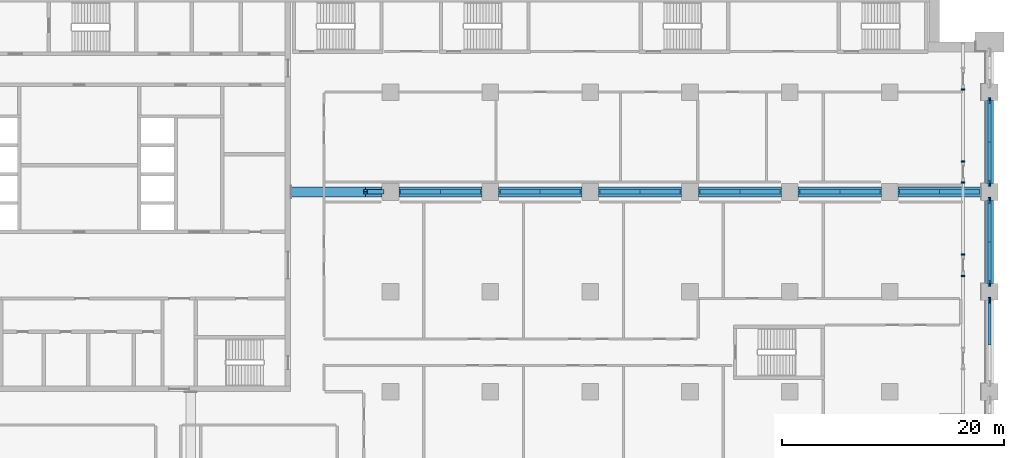
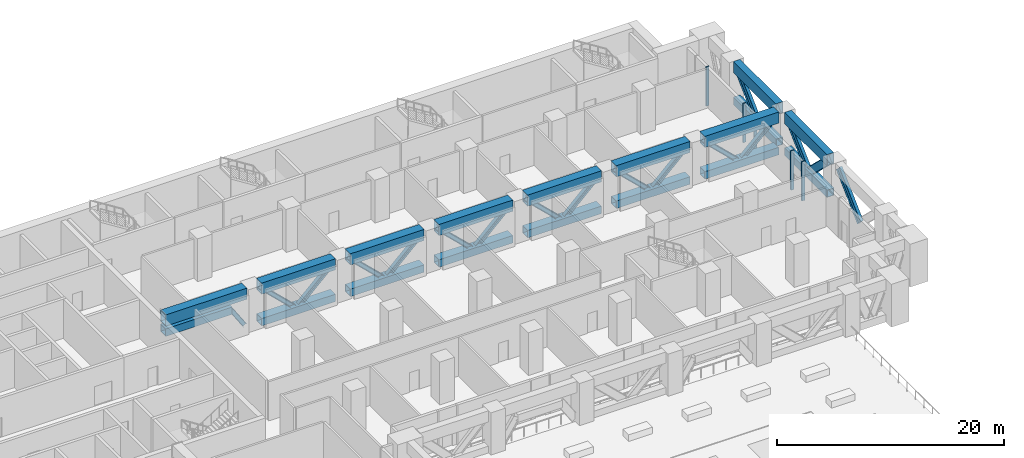
# One storey, part 5 of 31: 41 members.
"""IFC4 building model written with IfcOpenShell, lengths in metres."""

from ifc_helpers import new_model, si_unit, direction, frame, origin, origin_2d, place, context, subcontext, project, spatial, rectangle, hollow_rectangle, i_section, extrude, material, material_profile, profile_set, type_object, element, save


model = new_model("IFC4")

# Units and contexts
model_context = context("Model", 3, precision=1e-05, world=origin(), true_north=direction((0.0, 1.0)))
body_context = subcontext(model_context, "Body", "Model", "MODEL_VIEW")
ifc_project = project(units=[si_unit("LENGTHUNIT", "METRE"), si_unit("AREAUNIT", "SQUARE_METRE"), si_unit("VOLUMEUNIT", "CUBIC_METRE"), si_unit("PLANEANGLEUNIT", "RADIAN"), si_unit("MASSUNIT", "GRAM", prefix="KILO")], contexts=[model_context])

# Site, building, storey
site_placement = place(None, origin())
site = spatial("IfcSite", under=ifc_project, at=site_placement, CompositionType="ELEMENT")
building_placement = place(site_placement, origin())
building = spatial("IfcBuilding", under=site, at=building_placement, Name="Hunhe Ridgeline Campus", CompositionType="ELEMENT")
storey_placement = place(building_placement, frame((0.0, 0.0, 31.199951171875)))
storey = spatial("IfcBuildingStorey", under=building, at=storey_placement, Name="L06", CompositionType="ELEMENT", Elevation=31.199951171875)

# Members
ifc_material_1 = material(Name="Steel Q420", Category="steel")
ifc_material_profile_1 = material_profile(ifc_material_1, hollow_rectangle(XDim=0.699951171875, YDim=0.800048828125, WallThickness=0.0400390625, at=origin_2d()))
ifc_profile_set_1 = profile_set([ifc_material_profile_1], Name="Steel Q420")
member_type_1 = type_object("IfcMemberType", Name="Belt truss bottom chord Box 800x700x40 Steel Q420", PredefinedType="CHORD", material=ifc_profile_set_1)
for number, where, z_axis, x_axis, name in (
    (1, (99.0, 72.75, 0.400146484375), (0.0, 1.0, 0.0), (-1.0, 0.0, 0.0), "Belt truss BT1 bottom chord L06 86"),
    (2, (99.0, 81.75, 0.400146484375), (0.0, 1.0, 0.0), (-1.0, 0.0, 0.0), "Belt truss BT1 bottom chord L06 90"),
):
    element("IfcMember", number, at=place(storey_placement, frame(where, z_axis=z_axis, x_axis=x_axis)), inside=storey, type_object=member_type_1, Name=name, PredefinedType="CHORD", context=body_context, shape_type="SweptSolid", body=[
        extrude(hollow_rectangle(XDim=0.699951171875, YDim=0.800048828125, WallThickness=0.0400390625, at=origin_2d()), origin(), (0.0, 0.0, 1.0), 7.5),
    ])
ifc_material_profile_2 = material_profile(ifc_material_1, i_section(OverallWidth=0.300048828125, OverallDepth=0.800048828125, WebThickness=0.013916015625, FlangeThickness=0.02587890625, FilletRadius=0.01806640625, at=origin_2d()))
ifc_profile_set_2 = profile_set([ifc_material_profile_2], Name="Steel Q420")
member_type_2 = type_object("IfcMemberType", Name="Belt truss diagonal HN800x300x14x26 Steel Q420", PredefinedType="BRACE", material=ifc_profile_set_2)
for number, where, z_axis, x_axis, name in (
    (3, (99.0, 67.5, 0.400146484375), (0.0, 0.721401399021, 0.692517163318), (-1.0, 0.0, 0.0), "Belt truss BT1 diagonal L06 84"),
    (4, (99.0, 72.75, 4.0), (0.0, 0.721401399021, -0.692517163318), (-1.0, 0.0, 0.0), "Belt truss BT1 diagonal L06 87"),
    (5, (99.0, 76.5, 0.400146484375), (0.0, 0.721401399021, 0.692517163318), (-1.0, 0.0, 0.0), "Belt truss BT1 diagonal L06 88"),
    (6, (99.0, 81.75, 4.0), (0.0, 0.721401399021, -0.692517163318), (-1.0, 0.0, 0.0), "Belt truss BT1 diagonal L06 91"),
    (7, (99.0, 85.5, 0.400146484375), (0.0, 0.721401399021, 0.692517163318), (-1.0, 0.0, 0.0), "Belt truss BT1 diagonal L06 92"),
):
    element("IfcMember", number, at=place(storey_placement, frame(where, z_axis=z_axis, x_axis=x_axis)), inside=storey, type_object=member_type_2, Name=name, PredefinedType="BRACE", context=body_context, shape_type="SweptSolid", body=[
        extrude(i_section(OverallWidth=0.300048828125, OverallDepth=0.800048828125, WebThickness=0.013916015625, FlangeThickness=0.02587890625, FilletRadius=0.01806640625, at=origin_2d()), origin(), (0.0, 0.0, 1.0), 5.1982421875),
    ])
ifc_material_profile_3 = material_profile(ifc_material_1, hollow_rectangle(XDim=0.699951171875, YDim=1.199951171875, WallThickness=0.0400390625, at=origin_2d()))
ifc_profile_set_3 = profile_set([ifc_material_profile_3], Name="Steel Q420")
member_type_3 = type_object("IfcMemberType", Name="Belt truss top chord Box 1200x700x40 Steel Q420", PredefinedType="CHORD", material=ifc_profile_set_3)
for number, where, z_axis, x_axis, name in (
    (8, (99.0, 72.75, 4.0), (0.0, 1.0, 0.0), (-1.0, 0.0, 0.0), "Belt truss BT1 top chord L06 85"),
    (9, (99.0, 81.75, 4.0), (0.0, 1.0, 0.0), (-1.0, 0.0, 0.0), "Belt truss BT1 top chord L06 89"),
):
    element("IfcMember", number, at=place(storey_placement, frame(where, z_axis=z_axis, x_axis=x_axis)), inside=storey, type_object=member_type_3, Name=name, PredefinedType="CHORD", context=body_context, shape_type="SweptSolid", body=[
        extrude(hollow_rectangle(XDim=0.699951171875, YDim=1.199951171875, WallThickness=0.0400390625, at=origin_2d()), origin(), (0.0, 0.0, 1.0), 7.5),
    ])
ifc_material_2 = material(Name="Aluminium 6063", Category="aluminium")
ifc_material_profile_4 = material_profile(ifc_material_2, rectangle(XDim=0.300048828125, YDim=0.1201171875, at=origin_2d()))
ifc_profile_set_4 = profile_set([ifc_material_profile_4], Name="Aluminium 6063")
member_type_4 = type_object("IfcMemberType", Name="Louvre frame jamb 120x300 Aluminium 6063", PredefinedType="USERDEFINED", material=ifc_profile_set_4)
for number, where, z_axis, x_axis, name in (
    (10, (96.59912109375, 73.440673828125, 0.0), (0.0, 0.0, 1.0), (-1.0, 0.0, 0.0), "Louvre frame jamb 28b"),
    (11, (96.59912109375, 75.360595703125, 0.0), (0.0, 0.0, 1.0), (-1.0, 0.0, 0.0), "Louvre frame jamb 29a"),
    (12, (96.59912109375, 81.84033203125, 0.0), (0.0, 0.0, 1.0), (-1.0, 0.0, 0.0), "Louvre frame jamb 29b"),
    (13, (96.59912109375, 83.76025390625, 0.0), (0.0, 0.0, 1.0), (-1.0, 0.0, 0.0), "Louvre frame jamb 30a"),
    (14, (96.59912109375, 90.240234375, 0.0), (0.0, 0.0, 1.0), (-1.0, 0.0, 0.0), "Louvre frame jamb 30b"),
):
    element("IfcMember", number, at=place(storey_placement, frame(where, z_axis=z_axis, x_axis=x_axis)), inside=storey, type_object=member_type_4, Name=name, ObjectType="LOUVRE FRAME", PredefinedType="USERDEFINED", context=body_context, shape_type="SweptSolid", body=[
        extrude(rectangle(XDim=0.300048828125, YDim=0.1201171875, at=origin_2d()), origin(), (0.0, 0.0, 1.0), 4.199951171875),
    ])
ifc_material_profile_5 = material_profile(ifc_material_1, hollow_rectangle(XDim=0.89990234375, YDim=0.800048828125, WallThickness=0.050048828125, at=origin_2d()))
ifc_profile_set_5 = profile_set([ifc_material_profile_5], Name="Steel Q420")
member_type_5 = type_object("IfcMemberType", Name="Outrigger truss bottom chord Box 800x900x50 Steel Q420", PredefinedType="CHORD", material=ifc_profile_set_5)
member_1_placement = place(storey_placement, frame((36.0, 81.0, 2.699951171875), z_axis=(1.0, 0.0, 0.0), x_axis=(0.0, 1.0, 0.0)))
element("IfcMember", 15, at=member_1_placement, inside=storey, type_object=member_type_5, Name="Outrigger truss OR1 bottom chord L06 2", PredefinedType="CHORD", context=body_context, shape_type="SweptSolid", body=[
    extrude(hollow_rectangle(XDim=0.89990234375, YDim=0.800048828125, WallThickness=0.050048828125, at=origin_2d()), origin(), (0.0, 0.0, 1.0), 6.75),
])
for number, where, z_axis, x_axis, name in (
    (16, (45.75, 81.0, 0.400146484375), (1.0, 0.0, 0.0), (0.0, 1.0, 0.0), "Outrigger truss OR1 bottom chord L06 5"),
    (17, (54.75, 81.0, 0.400146484375), (1.0, 0.0, 0.0), (0.0, 1.0, 0.0), "Outrigger truss OR1 bottom chord L06 9"),
    (18, (63.75, 81.0, 0.400146484375), (1.0, 0.0, 0.0), (0.0, 1.0, 0.0), "Outrigger truss OR1 bottom chord L06 13"),
    (19, (72.75, 81.0, 0.400146484375), (1.0, 0.0, 0.0), (0.0, 1.0, 0.0), "Outrigger truss OR1 bottom chord L06 17"),
    (20, (81.75, 81.0, 0.400146484375), (1.0, 0.0, 0.0), (0.0, 1.0, 0.0), "Outrigger truss OR1 bottom chord L06 21"),
    (21, (90.75, 81.0, 0.400146484375), (1.0, 0.0, 0.0), (0.0, 1.0, 0.0), "Outrigger truss OR1 bottom chord L06 25"),
):
    element("IfcMember", number, at=place(storey_placement, frame(where, z_axis=z_axis, x_axis=x_axis)), inside=storey, type_object=member_type_5, Name=name, PredefinedType="CHORD", context=body_context, shape_type="SweptSolid", body=[
        extrude(hollow_rectangle(XDim=0.89990234375, YDim=0.800048828125, WallThickness=0.050048828125, at=origin_2d()), origin(), (0.0, 0.0, 1.0), 7.5),
    ])
ifc_material_profile_6 = material_profile(ifc_material_1, i_section(OverallWidth=0.406982421875, OverallDepth=0.427978515625, WebThickness=0.02001953125, FlangeThickness=0.034912109375, FilletRadius=0.02197265625, at=origin_2d()))
ifc_profile_set_6 = profile_set([ifc_material_profile_6], Name="Steel Q420")
member_type_6 = type_object("IfcMemberType", Name="Outrigger truss diagonal HW428x407x20x35 Steel Q420", PredefinedType="BRACE", material=ifc_profile_set_6)
member_2_placement = place(storey_placement, frame((42.75, 81.0, 2.699951171875), z_axis=(0.546300327661, 0.0, -0.837589369558), x_axis=(0.0, 1.0, 0.0)))
element("IfcMember", 22, at=member_2_placement, inside=storey, type_object=member_type_6, Name="Outrigger truss OR1 knee brace L06 3", PredefinedType="BRACE", context=body_context, shape_type="SweptSolid", body=[
    extrude(i_section(OverallWidth=0.406982421875, OverallDepth=0.427978515625, WebThickness=0.02001953125, FlangeThickness=0.034912109375, FilletRadius=0.02197265625, at=origin_2d()), origin(), (0.0, 0.0, 1.0), 2.745849609375),
])
for number, where, z_axis, x_axis, name in (
    (23, (45.75, 81.0, 4.0), (0.721401399021, 0.0, -0.692517163318), (0.0, 1.0, 0.0), "Outrigger truss OR1 diagonal L06 6"),
    (24, (49.5, 81.0, 0.400146484375), (0.721401399021, 0.0, 0.692517163318), (0.0, 1.0, 0.0), "Outrigger truss OR1 diagonal L06 7"),
    (25, (54.75, 81.0, 4.0), (0.721401399021, 0.0, -0.692517163318), (0.0, 1.0, 0.0), "Outrigger truss OR1 diagonal L06 10"),
    (26, (58.5, 81.0, 0.400146484375), (0.721401399021, 0.0, 0.692517163318), (0.0, 1.0, 0.0), "Outrigger truss OR1 diagonal L06 11"),
    (27, (63.75, 81.0, 4.0), (0.721401399021, 0.0, -0.692517163318), (0.0, 1.0, 0.0), "Outrigger truss OR1 diagonal L06 14"),
    (28, (67.5, 81.0, 0.400146484375), (0.721401399021, 0.0, 0.692517163318), (0.0, 1.0, 0.0), "Outrigger truss OR1 diagonal L06 15"),
    (29, (72.75, 81.0, 4.0), (0.721401399021, 0.0, -0.692517163318), (0.0, 1.0, 0.0), "Outrigger truss OR1 diagonal L06 18"),
    (30, (76.5, 81.0, 0.400146484375), (0.721401399021, 0.0, 0.692517163318), (0.0, 1.0, 0.0), "Outrigger truss OR1 diagonal L06 19"),
    (31, (81.75, 81.0, 4.0), (0.721401399021, 0.0, -0.692517163318), (0.0, 1.0, 0.0), "Outrigger truss OR1 diagonal L06 22"),
    (32, (85.5, 81.0, 0.400146484375), (0.721401399021, 0.0, 0.692517163318), (0.0, 1.0, 0.0), "Outrigger truss OR1 diagonal L06 23"),
    (33, (90.75, 81.0, 4.0), (0.721401399021, 0.0, -0.692517163318), (0.0, 1.0, 0.0), "Outrigger truss OR1 diagonal L06 26"),
    (34, (94.5, 81.0, 0.400146484375), (0.721401399021, 0.0, 0.692517163318), (0.0, 1.0, 0.0), "Outrigger truss OR1 diagonal L06 27"),
):
    element("IfcMember", number, at=place(storey_placement, frame(where, z_axis=z_axis, x_axis=x_axis)), inside=storey, type_object=member_type_6, Name=name, PredefinedType="BRACE", context=body_context, shape_type="SweptSolid", body=[
        extrude(i_section(OverallWidth=0.406982421875, OverallDepth=0.427978515625, WebThickness=0.02001953125, FlangeThickness=0.034912109375, FilletRadius=0.02197265625, at=origin_2d()), origin(), (0.0, 0.0, 1.0), 5.1982421875),
    ])
ifc_material_profile_7 = material_profile(ifc_material_1, hollow_rectangle(XDim=0.89990234375, YDim=1.199951171875, WallThickness=0.050048828125, at=origin_2d()))
ifc_profile_set_7 = profile_set([ifc_material_profile_7], Name="Steel Q420")
member_type_7 = type_object("IfcMemberType", Name="Outrigger truss top chord Box 1200x900x50 Steel Q420", PredefinedType="CHORD", material=ifc_profile_set_7)
member_3_placement = place(storey_placement, frame((36.0, 81.0, 4.0), z_axis=(1.0, 0.0, 0.0), x_axis=(0.0, 1.0, 0.0)))
element("IfcMember", 35, at=member_3_placement, inside=storey, type_object=member_type_7, Name="Outrigger truss OR1 top chord L06 1", PredefinedType="CHORD", context=body_context, shape_type="SweptSolid", body=[
    extrude(hollow_rectangle(XDim=0.89990234375, YDim=1.199951171875, WallThickness=0.050048828125, at=origin_2d()), origin(), (0.0, 0.0, 1.0), 8.25),
])
for number, where, z_axis, x_axis, name in (
    (36, (45.75, 81.0, 4.0), (1.0, 0.0, 0.0), (0.0, 1.0, 0.0), "Outrigger truss OR1 top chord L06 4"),
    (37, (54.75, 81.0, 4.0), (1.0, 0.0, 0.0), (0.0, 1.0, 0.0), "Outrigger truss OR1 top chord L06 8"),
    (38, (63.75, 81.0, 4.0), (1.0, 0.0, 0.0), (0.0, 1.0, 0.0), "Outrigger truss OR1 top chord L06 12"),
    (39, (72.75, 81.0, 4.0), (1.0, 0.0, 0.0), (0.0, 1.0, 0.0), "Outrigger truss OR1 top chord L06 16"),
    (40, (81.75, 81.0, 4.0), (1.0, 0.0, 0.0), (0.0, 1.0, 0.0), "Outrigger truss OR1 top chord L06 20"),
    (41, (90.75, 81.0, 4.0), (1.0, 0.0, 0.0), (0.0, 1.0, 0.0), "Outrigger truss OR1 top chord L06 24"),
):
    element("IfcMember", number, at=place(storey_placement, frame(where, z_axis=z_axis, x_axis=x_axis)), inside=storey, type_object=member_type_7, Name=name, PredefinedType="CHORD", context=body_context, shape_type="SweptSolid", body=[
        extrude(hollow_rectangle(XDim=0.89990234375, YDim=1.199951171875, WallThickness=0.050048828125, at=origin_2d()), origin(), (0.0, 0.0, 1.0), 7.5),
    ])

save(model, "model.ifc")
